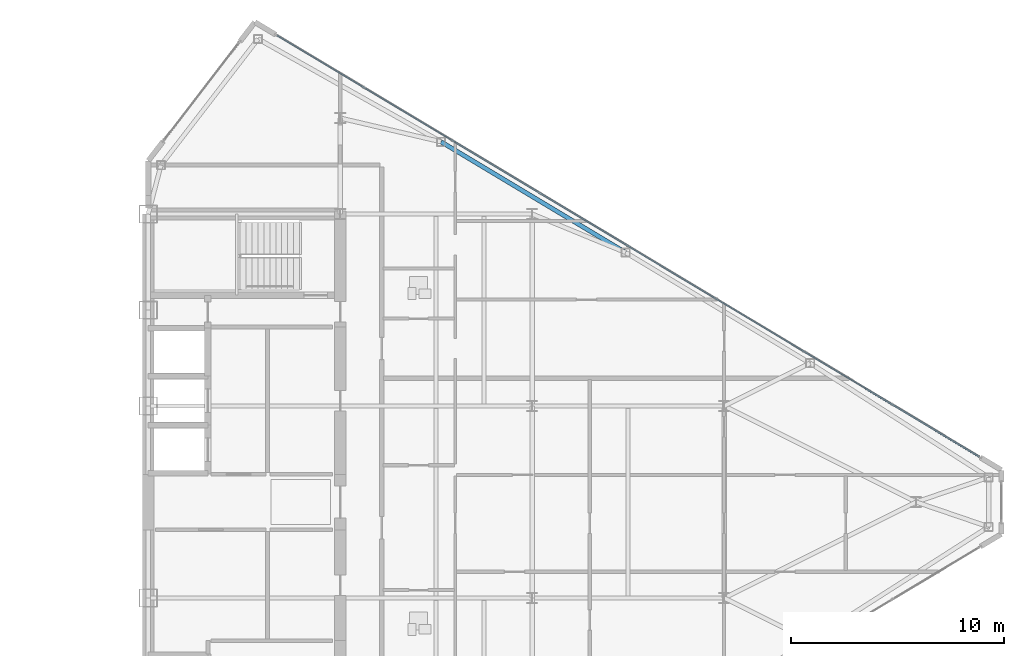
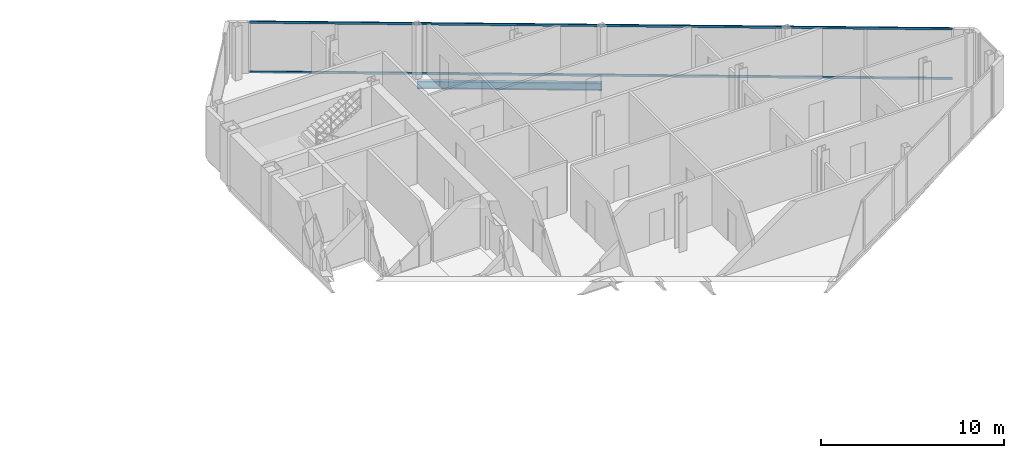
# One storey, part 16 of 26: 2 members, 1 beam, 1 element without a shape of its own.
"""IFC4 building model written with IfcOpenShell, lengths in metres."""

import ifcopenshell
import ifcopenshell.guid

model = None  # the IFC model being written
_history = None  # IfcOwnerHistory: only IFC2X3 demands one
_inside = {}  # id of a spatial element -> (the spatial element, [elements in it])
_under = {}  # id of a project, library or spatial element -> (it, [spatial elements below it])
_declared = {}  # id of a project -> (the project, [libraries it declares])
_typed = {}  # id of a type object -> (the type object, [elements of that type])
_made_of = {}  # id of a material, layer set ... -> (it, [elements and type objects made of it])


def new_model(schema):
    """Start an empty IFC model of exactly this schema.

    Asked for "IFC4X3", IfcOpenShell would pick the latest addendum, in which some entities
    have other attributes; the version numbers below select the first issue.
    IFC2X3 requires an IfcOwnerHistory on every rooted entity: one is made here for all.
    """
    global model, _history
    if schema == "IFC4X3":
        model = ifcopenshell.file(schema_version=(4, 3, 0, 0))
    else:
        model = ifcopenshell.file(schema=schema)
    _inside.clear()
    _under.clear()
    _declared.clear()
    _typed.clear()
    _made_of.clear()
    _history = None
    if model.schema == "IFC2X3":
        org = make("IfcOrganization", Name="unknown")
        user = make(
            "IfcPersonAndOrganization",
            ThePerson=make("IfcPerson", FamilyName="unknown"),
            TheOrganization=org,
        )
        app = make(
            "IfcApplication",
            ApplicationDeveloper=org,
            Version="unknown",
            ApplicationFullName="unknown",
            ApplicationIdentifier="unknown",
        )
        _history = make(
            "IfcOwnerHistory",
            OwningUser=user,
            OwningApplication=app,
            ChangeAction="ADDED",
            CreationDate=0,
        )
    return model


def make(cls, **values):
    """One entity of the class cls with the attributes given. An attribute that is None is left unset."""
    return model.create_entity(
        cls, **{name: value for name, value in values.items() if value is not None}
    )


def rooted(cls, **values):
    """An entity with a GlobalId (a new one), such as an element, a storey or a relation."""
    return make(cls, GlobalId=ifcopenshell.guid.new(), OwnerHistory=_history, **values)


def si_unit(unit_type, name, prefix=None):
    """IfcSIUnit, for example si_unit("LENGTHUNIT", "METRE", prefix="MILLI")."""
    return make("IfcSIUnit", UnitType=unit_type, Prefix=prefix, Name=name)


def assignment(units):
    """IfcUnitAssignment: the units of a project."""
    return None if units is None else make("IfcUnitAssignment", Units=units)


def point(xyz):
    """IfcCartesianPoint."""
    return None if xyz is None else make("IfcCartesianPoint", Coordinates=xyz)


def direction(xyz):
    """IfcDirection."""
    return None if xyz is None else make("IfcDirection", DirectionRatios=xyz)


def frame(location, z_axis=None, x_axis=None):
    """IfcAxis2Placement3D, a coordinate frame: its origin and axes. An axis left out is left unset."""
    return make(
        "IfcAxis2Placement3D",
        Location=point(location),
        Axis=direction(z_axis),
        RefDirection=direction(x_axis),
    )


def frame_2d(location, x_axis=None):
    """IfcAxis2Placement2D, a coordinate frame in the plane: its origin and x axis."""
    return make(
        "IfcAxis2Placement2D", Location=point(location), RefDirection=direction(x_axis)
    )


def origin():
    """The frame at (0, 0, 0) with its axes left unset."""
    return frame((0.0, 0.0, 0.0))


def origin_2d():
    """The frame at (0, 0) in the plane with its x axis left unset."""
    return frame_2d((0.0, 0.0))


def place(relative_to, where):
    """IfcLocalPlacement: puts the frame where relative to a parent placement (None: the world)."""
    return make(
        "IfcLocalPlacement", PlacementRelTo=relative_to, RelativePlacement=where
    )


def context(
    kind, dimensions, precision=None, world=None, true_north=None, identifier=None
):
    """IfcGeometricRepresentationContext, for example the 3D "Model" context."""
    return make(
        "IfcGeometricRepresentationContext",
        ContextIdentifier=identifier,
        ContextType=kind,
        CoordinateSpaceDimension=dimensions,
        Precision=precision,
        WorldCoordinateSystem=world,
        TrueNorth=true_north,
    )


def subcontext(parent, identifier, kind, view, scale=None):
    """IfcGeometricRepresentationSubContext, for example "Body" below "Model"."""
    return make(
        "IfcGeometricRepresentationSubContext",
        ContextIdentifier=identifier,
        ContextType=kind,
        ParentContext=parent,
        TargetScale=scale,
        TargetView=view,
    )


def project(units=None, contexts=None):
    """IfcProject with its units and contexts."""
    return rooted(
        "IfcProject",
        Name="project",
        RepresentationContexts=contexts,
        UnitsInContext=assignment(units),
    )


def spatial(cls, under=None, at=None, **own):
    """A site, building, storey or space (cls), placed at a placement, below another one or the project."""
    s = rooted(cls, ObjectPlacement=at, **own)
    if under is not None:
        _under.setdefault(under.id(), (under, []))[1].append(s)
    return s


def profile(cls, at=None, kind="AREA", **sizes):
    """A parametric profile (cls). Its sizes go by their IFC names, for example OverallWidth=200.0."""
    return make(cls, ProfileType=kind, Position=at, **sizes)


def rectangle(**sizes):
    """IfcRectangleProfileDef."""
    return profile("IfcRectangleProfileDef", **sizes)


def i_section(**sizes):
    """IfcIShapeProfileDef."""
    return profile("IfcIShapeProfileDef", **sizes)


def extrude(swept, where, along, depth):
    """IfcExtrudedAreaSolid: the profile swept, set in the frame where, extruded along a direction by depth."""
    return make(
        "IfcExtrudedAreaSolid",
        SweptArea=swept,
        Position=where,
        ExtrudedDirection=direction(along),
        Depth=depth,
    )


def shape(context_of_items, identifier, shape_type, items):
    """IfcShapeRepresentation: the items that make up one representation, for example the "Body"."""
    return make(
        "IfcShapeRepresentation",
        ContextOfItems=context_of_items,
        RepresentationIdentifier=identifier,
        RepresentationType=shape_type,
        Items=items,
    )


def source(mapping_origin, context_of_items, identifier, shape_type, items):
    """IfcRepresentationMap: a shape defined once, which mapped items show again and again."""
    return make(
        "IfcRepresentationMap",
        MappingOrigin=mapping_origin,
        MappedRepresentation=shape(context_of_items, identifier, shape_type, items),
    )


def transform(
    local_origin,
    x_axis=None,
    y_axis=None,
    z_axis=None,
    scale=None,
    scale2=None,
    scale3=None,
    uniform=True,
):
    """IfcCartesianTransformationOperator3D, or its non-uniform kind. x_axis, y_axis, z_axis: its Axis1, 2, 3."""
    if uniform:
        return make(
            "IfcCartesianTransformationOperator3D",
            Axis1=direction(x_axis),
            Axis2=direction(y_axis),
            LocalOrigin=point(local_origin),
            Scale=scale,
            Axis3=direction(z_axis),
        )
    return make(
        "IfcCartesianTransformationOperator3DnonUniform",
        Axis1=direction(x_axis),
        Axis2=direction(y_axis),
        LocalOrigin=point(local_origin),
        Scale=scale,
        Axis3=direction(z_axis),
        Scale2=scale2,
        Scale3=scale3,
    )


def mapped(mapping_source, mapping_target):
    """IfcMappedItem: shows the shape of a source again, moved by a transform."""
    return make(
        "IfcMappedItem", MappingSource=mapping_source, MappingTarget=mapping_target
    )


def material(Name=None, Category=None):
    """IfcMaterial."""
    return make("IfcMaterial", Name=Name, Category=Category)


def layer(
    of_material, thickness, ventilated=None, Name=None, Category=None, Priority=None
):
    """IfcMaterialLayer: one layer of a wall or slab, of a material (None: an air gap)."""
    return make(
        "IfcMaterialLayer",
        Material=of_material,
        LayerThickness=thickness,
        IsVentilated=ventilated,
        Name=Name,
        Category=Category,
        Priority=Priority,
    )


def layer_set(layers, Name=None):
    """IfcMaterialLayerSet."""
    return make("IfcMaterialLayerSet", MaterialLayers=layers, LayerSetName=Name)


def material_profile(
    of_material, cross_section, Name=None, Category=None, Priority=None
):
    """IfcMaterialProfile: a cross section and its material."""
    return make(
        "IfcMaterialProfile",
        Name=Name,
        Material=of_material,
        Profile=cross_section,
        Priority=Priority,
        Category=Category,
    )


def profile_set(profiles, Name=None, composite=None):
    """IfcMaterialProfileSet."""
    return make(
        "IfcMaterialProfileSet",
        Name=Name,
        MaterialProfiles=profiles,
        CompositeProfile=composite,
    )


def made_of(thing, what):
    """Note that an element or type object is made of a material, layer set ...; save() writes the relation."""
    if what is not None:
        _made_of.setdefault(what.id(), (what, []))[1].append(thing)
    return thing


def type_object(cls, material=None, **own):
    """A type object (cls), such as IfcWallType, which elements share."""
    return made_of(rooted(cls, **own), material)


def type_shapes(of_type, sources):
    """Give a type object the sources (RepresentationMaps) that its elements show as mapped items."""
    of_type.RepresentationMaps = sources


def element(
    cls,
    number,
    at=None,
    inside=None,
    cuts=None,
    type_object=None,
    material=None,
    context=None,
    identifier="Body",
    shape_type=None,
    held_by="IfcProductDefinitionShape",
    body=None,
    shapes=None,
    **own,
):
    """One element of the class cls, such as IfcWall. Its Tag is "e" and its number.

    at: its placement. inside: the storey or other place that contains it. cuts: it is an
    opening in that element (IfcRelVoidsElement). A single representation is given by context,
    identifier, shape_type and body (its items); several are given by shapes. held_by: the class
    of the entity that holds the representations. save() writes the other relations.
    """
    e = rooted(cls, Tag="e%d" % number, ObjectPlacement=at, **own)
    if body is not None:
        shapes = [shape(context, identifier, shape_type, body)]
    if shapes is not None:
        e.Representation = make(held_by, Representations=shapes)
    if inside is not None:
        _inside.setdefault(inside.id(), (inside, []))[1].append(e)
    if cuts is not None:
        rooted(
            "IfcRelVoidsElement", RelatingBuildingElement=cuts, RelatedOpeningElement=e
        )
    if type_object is not None:
        _typed.setdefault(type_object.id(), (type_object, []))[1].append(e)
    return made_of(e, material)


def aggregate(whole, parts):
    """IfcRelAggregates: a whole, such as a stair, and the parts it consists of."""
    return rooted("IfcRelAggregates", RelatingObject=whole, RelatedObjects=parts)


def save(model, path):
    """Write the relations noted so far, then the file.

    IfcRelAggregates (storeys below a building ...), IfcRelContainedInSpatialStructure (elements
    in a storey), IfcRelDefinesByType, IfcRelAssociatesMaterial and IfcRelDeclares: one each for
    every whole, place, type object, material and project.
    """
    for whole, parts in _under.values():
        aggregate(whole, parts)
    for where, things in _inside.values():
        rooted(
            "IfcRelContainedInSpatialStructure",
            RelatedElements=things,
            RelatingStructure=where,
        )
    for kind, things in _typed.values():
        rooted("IfcRelDefinesByType", RelatedObjects=things, RelatingType=kind)
    for what, things in _made_of.values():
        rooted("IfcRelAssociatesMaterial", RelatedObjects=things, RelatingMaterial=what)
    for by, libraries in _declared.values():
        rooted("IfcRelDeclares", RelatingContext=by, RelatedDefinitions=libraries)
    model.write(path)


model = new_model("IFC4")

# Units and contexts
model_context = context("Model", 3, precision=1e-05, world=origin(), true_north=direction((0.0, 1.0)))
body_context = subcontext(model_context, "Body", "Model", "MODEL_VIEW")
ifc_project = project(units=[si_unit("LENGTHUNIT", "METRE"), si_unit("AREAUNIT", "SQUARE_METRE"), si_unit("VOLUMEUNIT", "CUBIC_METRE"), si_unit("PLANEANGLEUNIT", "RADIAN"), si_unit("MASSUNIT", "GRAM", prefix="KILO")], contexts=[model_context])

# Site, building, storey
site_placement = place(None, origin())
site = spatial("IfcSite", under=ifc_project, at=site_placement, CompositionType="ELEMENT")
building_placement = place(site_placement, origin())
building = spatial("IfcBuilding", under=site, at=building_placement, Name="Seokmaru Belvedere", CompositionType="ELEMENT")
storey_placement = place(building_placement, frame((0.0, 0.0, 199.5)))
storey = spatial("IfcBuildingStorey", under=building, at=storey_placement, Name="L53", CompositionType="ELEMENT", Elevation=199.5)

# Beam
ifc_material_1 = material(Name="Steel SM355 (355 MPa)", Category="steel")
ifc_material_profile_1 = material_profile(ifc_material_1, i_section(OverallWidth=0.199951171875, OverallDepth=0.5, WebThickness=0.010009765625, FlangeThickness=0.01611328125, at=origin_2d()), Name="H-500x200x10x16")
ifc_profile_set_1 = profile_set([ifc_material_profile_1], Name="Steel SM355 (355 MPa)")
beam_type = type_object("IfcBeamType", Name="Perimeter Spandrel Beam H-500", PredefinedType="SPANDREL", material=ifc_profile_set_1)
shared_shape_1 = source(origin(), body_context, "Body", "SweptSolid", [
    extrude(i_section(OverallWidth=0.199951171875, OverallDepth=0.5, WebThickness=0.010009765625, FlangeThickness=0.01611328125, at=origin_2d()), origin(), (0.0, 0.0, 1.0), 10.087646484375),
])
type_shapes(beam_type, [shared_shape_1])
beam_placement = place(storey_placement, frame((41.229736328125, 16.888916015625, -0.469970703125), z_axis=(0.857499332045, -0.514485078056, 0.0), x_axis=(0.514485078056, 0.857499332045, 0.0)))
element("IfcBeam", 1, at=beam_placement, inside=storey, type_object=beam_type, Name="L53 E Faceted Flank Spandrel N-2", PredefinedType="SPANDREL", context=body_context, shape_type="MappedRepresentation", body=[
    mapped(shared_shape_1, transform((0.0, 0.0, 0.0), scale=1.0)),
])

# Curtain wall, members
ifc_material_2 = material(Name="Bronze Triple Insulating Glass", Category="glass")
ifc_layer = layer(ifc_material_2, 0.179931640625)
ifc_layer_set = layer_set([ifc_layer], Name="Bronze Triple Insulating Glass")
curtain_wall_type = type_object("IfcCurtainWallType", Name="High-Rise Wind-Corner Curtain Wall System CW-5", PredefinedType="NOTDEFINED", material=ifc_layer_set)
curtain_wall_placement = place(storey_placement, origin())
curtain_wall = element("IfcCurtainWall", 2, at=curtain_wall_placement, inside=storey, type_object=curtain_wall_type, Name="L53 Curtain Wall EF3", PredefinedType="NOTDEFINED")
ifc_material_3 = material(Name="Anodised Bronze Aluminium", Category="aluminium")
ifc_material_profile_2 = material_profile(ifc_material_3, rectangle(XDim=0.06494140625, YDim=0.14990234375, at=origin_2d()), Name="CW-T-65x150")
ifc_profile_set_2 = profile_set([ifc_material_profile_2], Name="Anodised Bronze Aluminium")
member_type = type_object("IfcMemberType", Name="Bronze Unitised Transom 65x150", PredefinedType="USERDEFINED", material=ifc_profile_set_2)
shared_shape_2 = source(origin(), body_context, "Body", "SweptSolid", [
    extrude(rectangle(XDim=0.06494140625, YDim=0.14990234375, at=origin_2d()), origin(), (0.0, 0.0, 1.0), 38.386962890625),
])
type_shapes(member_type, [shared_shape_2])
member_1_placement = place(storey_placement, frame((66.458251953125, 2.125, 0.032470703125), z_axis=(-0.85749180336, 0.514497626011, 0.0), x_axis=(-0.514497626011, -0.85749180336, 0.0)))
member_1 = element("IfcMember", 3, at=member_1_placement, type_object=member_type, Name="CW:L53:EF3 Continuous Transom 1", ObjectType="TRANSOM", PredefinedType="USERDEFINED", context=body_context, shape_type="MappedRepresentation", body=[
    mapped(shared_shape_2, transform((0.0, 0.0, 0.0), scale=1.0)),
])
member_2_placement = place(storey_placement, frame((66.458251953125, 2.125, 3.347412109375), z_axis=(-0.85749180336, 0.514497626011, 0.0), x_axis=(-0.514497626011, -0.85749180336, 0.0)))
member_2 = element("IfcMember", 4, at=member_2_placement, type_object=member_type, Name="CW:L53:EF3 Continuous Transom 2", ObjectType="TRANSOM", PredefinedType="USERDEFINED", context=body_context, shape_type="MappedRepresentation", body=[
    mapped(shared_shape_2, transform((0.0, 0.0, 0.0), scale=1.0)),
])
aggregate(curtain_wall, [member_1, member_2])

save(model, "model.ifc")
